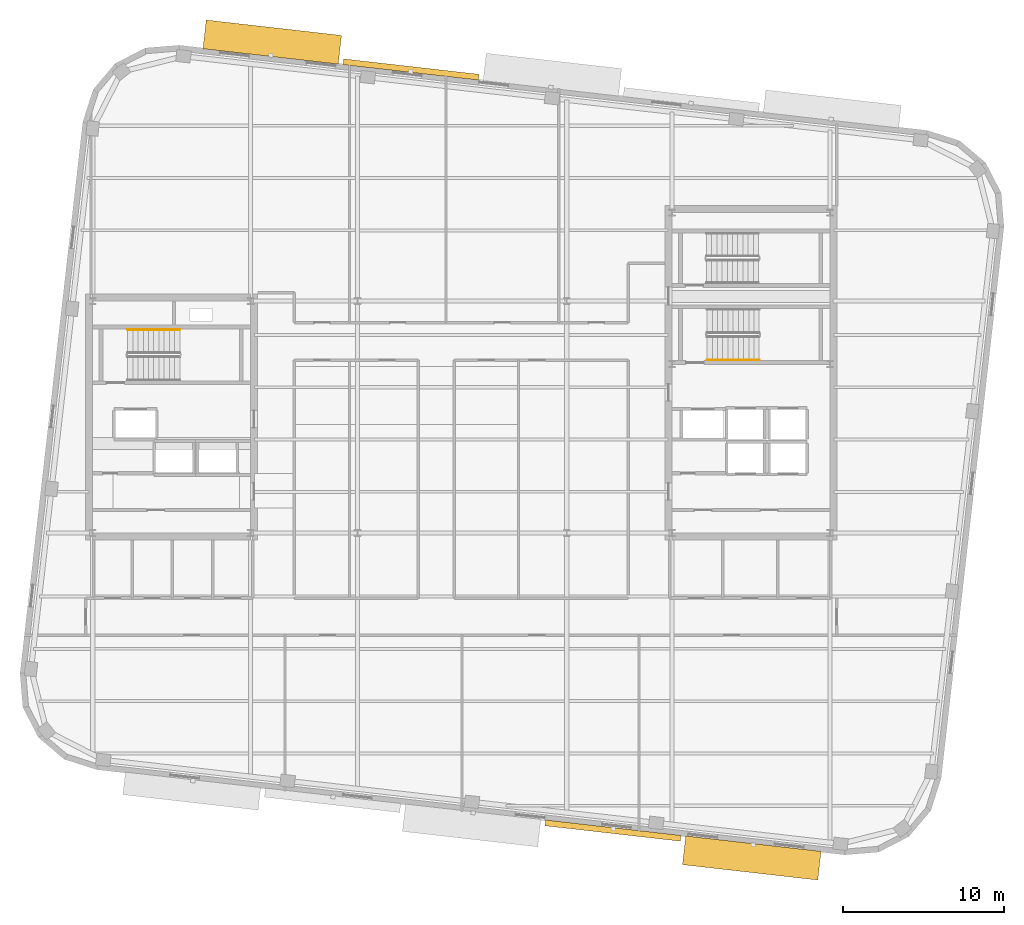
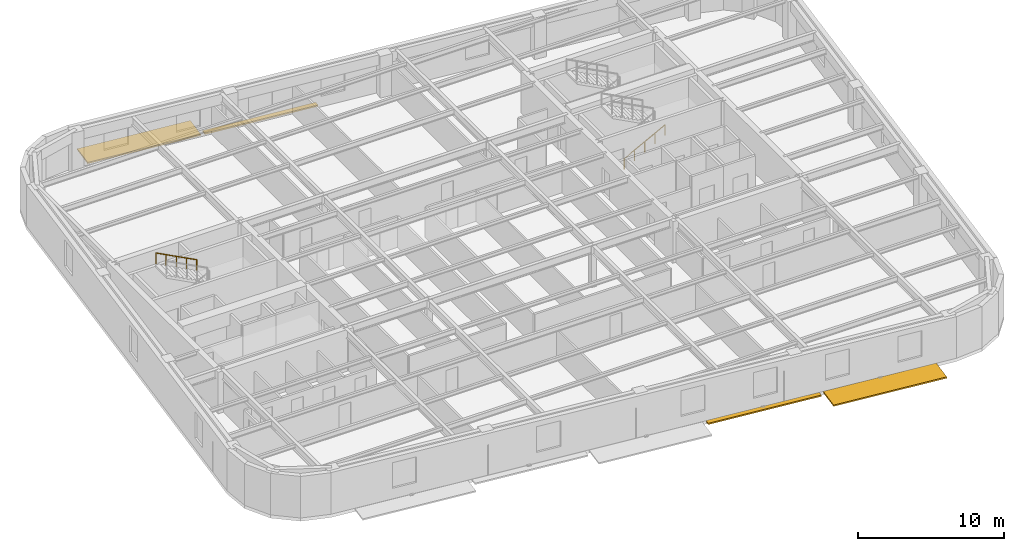
# One storey, part 12 of 13: 4 shading devices, 2 railings.
"""IFC4 building model written with IfcOpenShell, lengths in metres."""

from ifc_helpers import new_model, si_unit, direction, frame, origin, origin_2d, place, context, subcontext, project, spatial, rectangle, circle, extrude, material, type_object, element, save


model = new_model("IFC4")

# Units and contexts
model_context = context("Model", 3, precision=1e-05, world=origin(), true_north=direction((0.0, 1.0)))
body_context = subcontext(model_context, "Body", "Model", "MODEL_VIEW")
ifc_project = project(units=[si_unit("LENGTHUNIT", "METRE"), si_unit("AREAUNIT", "SQUARE_METRE"), si_unit("VOLUMEUNIT", "CUBIC_METRE"), si_unit("PLANEANGLEUNIT", "RADIAN"), si_unit("MASSUNIT", "GRAM", prefix="KILO")], contexts=[model_context])

# Site, building, storey
site_placement = place(None, origin())
site = spatial("IfcSite", under=ifc_project, at=site_placement, CompositionType="ELEMENT")
building_placement = place(site_placement, origin())
building = spatial("IfcBuilding", under=site, at=building_placement, Name="Kolvaren Arena Tower", CompositionType="ELEMENT")
storey_placement = place(building_placement, frame((0.0, 0.0, 228.449951171875)))
storey = spatial("IfcBuildingStorey", under=building, at=storey_placement, Name="L55", CompositionType="ELEMENT", Elevation=228.449951171875)

# Railings
ifc_material_1 = material(Name="Brushed stainless steel handrail", Category="steel")
railing_type = type_object("IfcRailingType", Name="HRAIL-900", PredefinedType="HANDRAIL", material=ifc_material_1)
railing_1_placement = place(storey_placement, frame((19.9599609375, 32.080078125, 2.04541015625)))
element("IfcRailing", 1, at=railing_1_placement, inside=storey, type_object=railing_type, Name="L55 ST-W1 stair handrail 2", PredefinedType="HANDRAIL", context=body_context, shape_type="SweptSolid", body=[
    extrude(circle(Radius=0.02392578125, at=origin_2d()), frame((0.0, 0.0, 0.8759765625), z_axis=(-0.884993431791, 0.0, 0.465603506952), x_axis=(0.0, -1.0, 0.0)), (0.0, 0.0, 1.0), 3.6611328125),
    extrude(circle(Radius=0.02099609375, at=origin_2d()), origin(), (0.0, 0.0, 1.0), 0.851806640625),
    extrude(circle(Radius=0.02099609375, at=origin_2d()), frame((-0.81005859375, 0.0, 0.42626953125)), (0.0, 0.0, 1.0), 0.851806640625),
    extrude(circle(Radius=0.02099609375, at=origin_2d()), frame((-1.6201171875, 0.0, 0.852294921875)), (0.0, 0.0, 1.0), 0.851806640625),
    extrude(circle(Radius=0.02099609375, at=origin_2d()), frame((-2.429931640625, 0.0, 1.2783203125)), (0.0, 0.0, 1.0), 0.851806640625),
    extrude(circle(Radius=0.02099609375, at=origin_2d()), frame((-3.239990234375, 0.0, 1.70458984375)), (0.0, 0.0, 1.0), 0.851806640625),
])
railing_2_placement = place(storey_placement, frame((52.719970703125, 30.199951171875, 0.17041015625)))
element("IfcRailing", 2, at=railing_2_placement, inside=storey, type_object=railing_type, Name="L55 ST-E1 stair handrail 1", PredefinedType="HANDRAIL", context=body_context, shape_type="SweptSolid", body=[
    extrude(circle(Radius=0.02392578125, at=origin_2d()), frame((0.0, 0.0, 0.8759765625), z_axis=(0.884993431791, 0.0, 0.465603506952), x_axis=(0.0, 1.0, 0.0)), (0.0, 0.0, 1.0), 3.6611328125),
    extrude(circle(Radius=0.02099609375, at=origin_2d()), origin(), (0.0, 0.0, 1.0), 0.851806640625),
    extrude(circle(Radius=0.02099609375, at=origin_2d()), frame((0.81005859375, 0.0, 0.42626953125)), (0.0, 0.0, 1.0), 0.851806640625),
    extrude(circle(Radius=0.02099609375, at=origin_2d()), frame((1.6201171875, 0.0, 0.852294921875)), (0.0, 0.0, 1.0), 0.851806640625),
    extrude(circle(Radius=0.02099609375, at=origin_2d()), frame((2.429931640625, 0.0, 1.2783203125)), (0.0, 0.0, 1.0), 0.851806640625),
    extrude(circle(Radius=0.02099609375, at=origin_2d()), frame((3.239990234375, 0.0, 1.70458984375)), (0.0, 0.0, 1.0), 0.851806640625),
])

# Shading devices
ifc_material_2 = material(Name="Architectural precast GFRC and anodised aluminium sunshade", Category="concrete")
shading_device_type_1 = type_object("IfcShadingDeviceType", Name="SHAD-SINE-A", PredefinedType="USERDEFINED", material=ifc_material_2)
for number, where, z_axis, x_axis, name in (
    (3, (34.326171875, 48.243896484375, -0.139892578125), (0.0, 0.0, 1.0), (0.993571658098, -0.113204947878, 0.0), "Sinusoidal Slab-Edge Sunshade Louvre (L55)"),
    (4, (46.873779296875, 0.9560546875, -0.139892578125), (0.0, 0.0, 1.0), (-0.993571658098, 0.113204947878, 0.0), "Sinusoidal Slab-Edge Sunshade Louvre (L55)"),
):
    element("IfcShadingDevice", number, at=place(storey_placement, frame(where, z_axis=z_axis, x_axis=x_axis)), inside=storey, type_object=shading_device_type_1, Name=name, ObjectType="LOUVRE", PredefinedType="USERDEFINED", context=body_context, shape_type="SweptSolid", body=[
        extrude(rectangle(XDim=8.4599609375, YDim=0.36328125, at=origin_2d()), origin(), (0.0, 0.0, 1.0), 0.1201171875),
    ])
shading_device_type_2 = type_object("IfcShadingDeviceType", Name="SHAD-SINE-B", PredefinedType="JALOUSIE", material=ifc_material_2)
for number, where, z_axis, x_axis, name in (
    (5, (25.70361328125, 49.947265625, -0.139892578125), (0.0, 0.0, 1.0), (0.993571658098, -0.113204947878, 0.0), "Sinusoidal Slab-Edge Sunshade Louvre (L55)"),
    (6, (55.496337890625, -0.747314453125, -0.139892578125), (0.0, 0.0, 1.0), (-0.993571658098, 0.113204947878, 0.0), "Sinusoidal Slab-Edge Sunshade Louvre (L55)"),
):
    element("IfcShadingDevice", number, at=place(storey_placement, frame(where, z_axis=z_axis, x_axis=x_axis)), inside=storey, type_object=shading_device_type_2, Name=name, PredefinedType="JALOUSIE", context=body_context, shape_type="SweptSolid", body=[
        extrude(rectangle(XDim=8.4599609375, YDim=1.7958984375, at=origin_2d()), origin(), (0.0, 0.0, 1.0), 0.1201171875),
    ])

save(model, "model.ifc")
